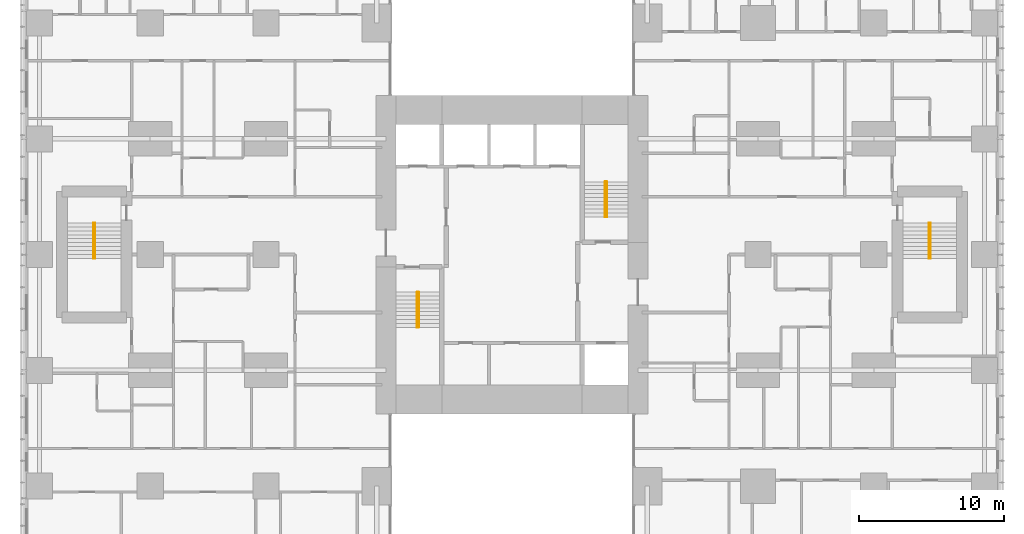
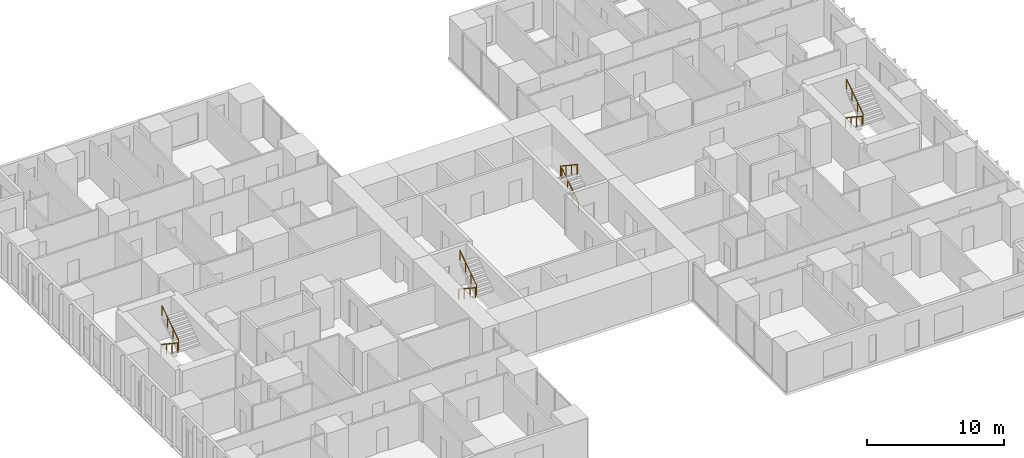
# One storey, part 20 of 20: 8 railings.
"""IFC4 building model written with IfcOpenShell, lengths in metres."""

from ifc_helpers import new_model, si_unit, direction, frame, origin, origin_2d, place, context, subcontext, project, spatial, circle, extrude, material, type_object, element, save


model = new_model("IFC4")

# Units and contexts
model_context = context("Model", 3, precision=1e-05, world=origin(), true_north=direction((0.0, 1.0)))
body_context = subcontext(model_context, "Body", "Model", "MODEL_VIEW")
ifc_project = project(units=[si_unit("LENGTHUNIT", "METRE"), si_unit("AREAUNIT", "SQUARE_METRE"), si_unit("VOLUMEUNIT", "CUBIC_METRE"), si_unit("PLANEANGLEUNIT", "RADIAN"), si_unit("MASSUNIT", "GRAM", prefix="KILO")], contexts=[model_context])

# Site, building, storey
site_placement = place(None, origin())
site = spatial("IfcSite", under=ifc_project, at=site_placement, CompositionType="ELEMENT")
building_placement = place(site_placement, origin())
building = spatial("IfcBuilding", under=site, at=building_placement, Name="Cleftline Residences", CompositionType="ELEMENT")
storey_placement = place(building_placement, frame((0.0, 0.0, 193.0)))
storey = spatial("IfcBuildingStorey", under=building, at=storey_placement, Name="L50", CompositionType="ELEMENT", Elevation=193.0)

# Railings
ifc_material = material(Name="Stainless steel", Category="steel")
railing_type = type_object("IfcRailingType", Name="HANDRAIL 900", PredefinedType="HANDRAIL", material=ifc_material)
railing_1_placement = place(storey_placement, frame((26.449951171875, 21.39990234375, 0.179931640625)))
element("IfcRailing", 1, at=railing_1_placement, inside=storey, type_object=railing_type, Name="Stair handrail", PredefinedType="HANDRAIL", context=body_context, shape_type="SweptSolid", body=[
    extrude(circle(Radius=0.02392578125, at=origin_2d()), frame((0.0, 0.0, 0.8759765625), z_axis=(0.0, -0.832024571796, 0.554738778101), x_axis=(1.0, 0.0, 0.0)), (0.0, 0.0, 1.0), 2.92041015625),
    extrude(circle(Radius=0.02099609375, at=origin_2d()), origin(), (0.0, 0.0, 1.0), 0.851806640625),
    extrude(circle(Radius=0.02099609375, at=origin_2d()), frame((0.0, -0.81005859375, 0.5400390625)), (0.0, 0.0, 1.0), 0.851806640625),
    extrude(circle(Radius=0.02099609375, at=origin_2d()), frame((0.0, -1.619873046875, 1.080078125)), (0.0, 0.0, 1.0), 0.851806640625),
    extrude(circle(Radius=0.02099609375, at=origin_2d()), frame((0.0, -2.429931640625, 1.6201171875)), (0.0, 0.0, 1.0), 0.851806640625),
])
for number, where, name in (
    (2, (26.550048828125, 18.969970703125, 1.97998046875), "Stair handrail"),
    (3, (39.550048828125, 26.60009765625, 0.179931640625), "Stair handrail"),
):
    element("IfcRailing", number, at=place(storey_placement, frame(where)), inside=storey, type_object=railing_type, Name=name, PredefinedType="HANDRAIL", context=body_context, shape_type="SweptSolid", body=[
        extrude(circle(Radius=0.02392578125, at=origin_2d()), frame((0.0, 0.0, 0.8759765625), z_axis=(0.0, 0.832024571796, 0.554738778101), x_axis=(-1.0, 0.0, 0.0)), (0.0, 0.0, 1.0), 2.92041015625),
        extrude(circle(Radius=0.02099609375, at=origin_2d()), origin(), (0.0, 0.0, 1.0), 0.851806640625),
        extrude(circle(Radius=0.02099609375, at=origin_2d()), frame((0.0, 0.81005859375, 0.5400390625)), (0.0, 0.0, 1.0), 0.851806640625),
        extrude(circle(Radius=0.02099609375, at=origin_2d()), frame((0.0, 1.619873046875, 1.080078125)), (0.0, 0.0, 1.0), 0.851806640625),
        extrude(circle(Radius=0.02099609375, at=origin_2d()), frame((0.0, 2.429931640625, 1.6201171875)), (0.0, 0.0, 1.0), 0.851806640625),
    ])
for number, where, name in (
    (4, (39.449951171875, 29.030029296875, 1.97998046875), "Stair handrail"),
    (5, (61.824951171875, 26.175048828125, 0.179931640625), "Stair handrail"),
):
    element("IfcRailing", number, at=place(storey_placement, frame(where)), inside=storey, type_object=railing_type, Name=name, PredefinedType="HANDRAIL", context=body_context, shape_type="SweptSolid", body=[
        extrude(circle(Radius=0.02392578125, at=origin_2d()), frame((0.0, 0.0, 0.8759765625), z_axis=(0.0, -0.832024571796, 0.554738778101), x_axis=(1.0, 0.0, 0.0)), (0.0, 0.0, 1.0), 2.92041015625),
        extrude(circle(Radius=0.02099609375, at=origin_2d()), origin(), (0.0, 0.0, 1.0), 0.851806640625),
        extrude(circle(Radius=0.02099609375, at=origin_2d()), frame((0.0, -0.81005859375, 0.5400390625)), (0.0, 0.0, 1.0), 0.851806640625),
        extrude(circle(Radius=0.02099609375, at=origin_2d()), frame((0.0, -1.619873046875, 1.080078125)), (0.0, 0.0, 1.0), 0.851806640625),
        extrude(circle(Radius=0.02099609375, at=origin_2d()), frame((0.0, -2.429931640625, 1.6201171875)), (0.0, 0.0, 1.0), 0.851806640625),
    ])
railing_2_placement = place(storey_placement, frame((61.925048828125, 23.7451171875, 1.97998046875)))
element("IfcRailing", 6, at=railing_2_placement, inside=storey, type_object=railing_type, Name="Stair handrail", PredefinedType="HANDRAIL", context=body_context, shape_type="SweptSolid", body=[
    extrude(circle(Radius=0.02392578125, at=origin_2d()), frame((0.0, 0.0, 0.8759765625), z_axis=(0.0, 0.832024571796, 0.554738778101), x_axis=(-1.0, 0.0, 0.0)), (0.0, 0.0, 1.0), 2.92041015625),
    extrude(circle(Radius=0.02099609375, at=origin_2d()), origin(), (0.0, 0.0, 1.0), 0.851806640625),
    extrude(circle(Radius=0.02099609375, at=origin_2d()), frame((0.0, 0.81005859375, 0.5400390625)), (0.0, 0.0, 1.0), 0.851806640625),
    extrude(circle(Radius=0.02099609375, at=origin_2d()), frame((0.0, 1.619873046875, 1.080078125)), (0.0, 0.0, 1.0), 0.851806640625),
    extrude(circle(Radius=0.02099609375, at=origin_2d()), frame((0.0, 2.429931640625, 1.6201171875)), (0.0, 0.0, 1.0), 0.851806640625),
])
railing_3_placement = place(storey_placement, frame((4.074951171875, 26.175048828125, 0.179931640625)))
element("IfcRailing", 7, at=railing_3_placement, inside=storey, type_object=railing_type, Name="Stair handrail", PredefinedType="HANDRAIL", context=body_context, shape_type="SweptSolid", body=[
    extrude(circle(Radius=0.02392578125, at=origin_2d()), frame((0.0, 0.0, 0.8759765625), z_axis=(0.0, -0.832024571796, 0.554738778101), x_axis=(1.0, 0.0, 0.0)), (0.0, 0.0, 1.0), 2.92041015625),
    extrude(circle(Radius=0.02099609375, at=origin_2d()), origin(), (0.0, 0.0, 1.0), 0.851806640625),
    extrude(circle(Radius=0.02099609375, at=origin_2d()), frame((0.0, -0.81005859375, 0.5400390625)), (0.0, 0.0, 1.0), 0.851806640625),
    extrude(circle(Radius=0.02099609375, at=origin_2d()), frame((0.0, -1.619873046875, 1.080078125)), (0.0, 0.0, 1.0), 0.851806640625),
    extrude(circle(Radius=0.02099609375, at=origin_2d()), frame((0.0, -2.429931640625, 1.6201171875)), (0.0, 0.0, 1.0), 0.851806640625),
])
railing_4_placement = place(storey_placement, frame((4.175048828125, 23.7451171875, 1.97998046875)))
element("IfcRailing", 8, at=railing_4_placement, inside=storey, type_object=railing_type, Name="Stair handrail", PredefinedType="HANDRAIL", context=body_context, shape_type="SweptSolid", body=[
    extrude(circle(Radius=0.02392578125, at=origin_2d()), frame((0.0, 0.0, 0.8759765625), z_axis=(0.0, 0.832024571796, 0.554738778101), x_axis=(-1.0, 0.0, 0.0)), (0.0, 0.0, 1.0), 2.92041015625),
    extrude(circle(Radius=0.02099609375, at=origin_2d()), origin(), (0.0, 0.0, 1.0), 0.851806640625),
    extrude(circle(Radius=0.02099609375, at=origin_2d()), frame((0.0, 0.81005859375, 0.5400390625)), (0.0, 0.0, 1.0), 0.851806640625),
    extrude(circle(Radius=0.02099609375, at=origin_2d()), frame((0.0, 1.619873046875, 1.080078125)), (0.0, 0.0, 1.0), 0.851806640625),
    extrude(circle(Radius=0.02099609375, at=origin_2d()), frame((0.0, 2.429931640625, 1.6201171875)), (0.0, 0.0, 1.0), 0.851806640625),
])

save(model, "model.ifc")
